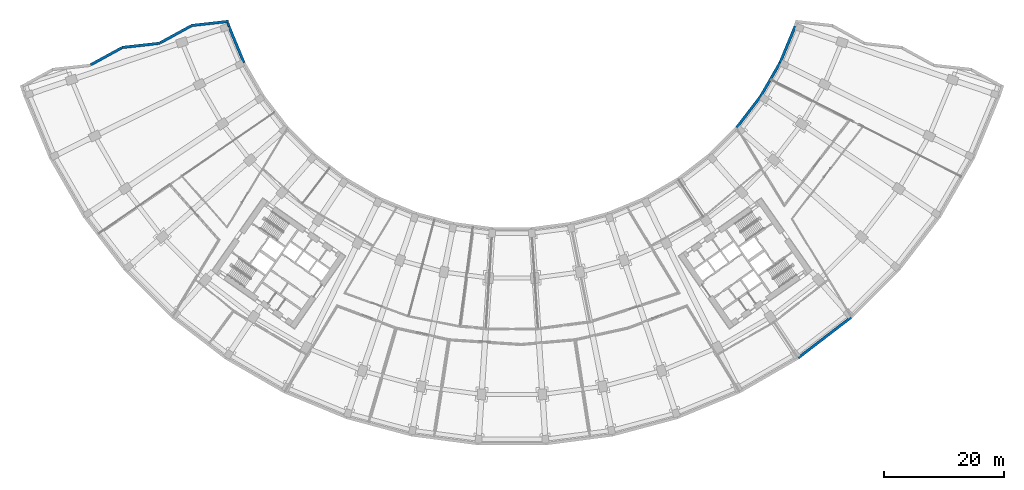
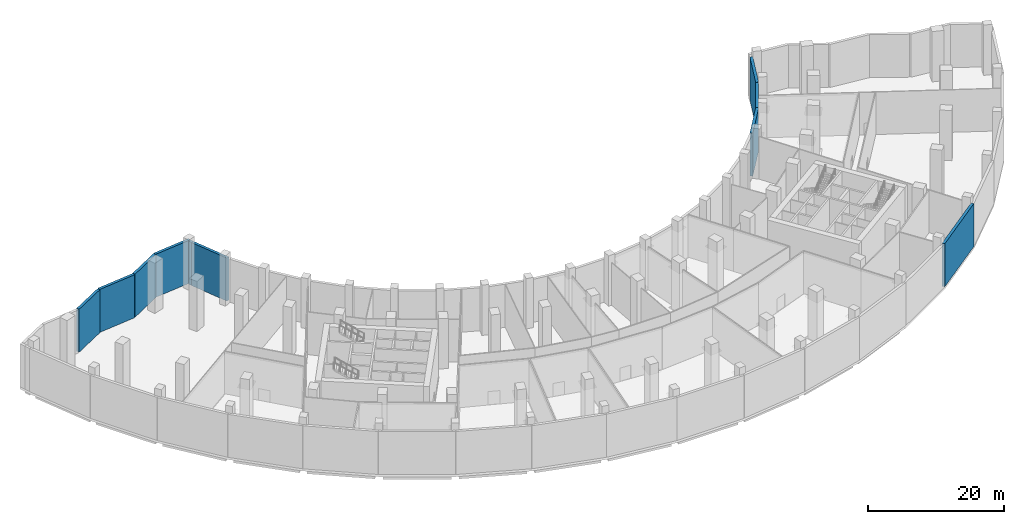
# One storey, part 10 of 17: 10 walls.
"""IFC4 building model written with IfcOpenShell, lengths in metres."""

from ifc_helpers import new_model, si_unit, direction, frame, frame_2d, origin, place, context, subcontext, project, spatial, rectangle, extrude, material, layer, layer_set, type_object, element, save


model = new_model("IFC4")

# Units and contexts
model_context = context("Model", 3, precision=1e-05, world=origin(), true_north=direction((0.0, 1.0)))
body_context = subcontext(model_context, "Body", "Model", "MODEL_VIEW")
ifc_project = project(units=[si_unit("LENGTHUNIT", "METRE"), si_unit("AREAUNIT", "SQUARE_METRE"), si_unit("VOLUMEUNIT", "CUBIC_METRE"), si_unit("PLANEANGLEUNIT", "RADIAN"), si_unit("MASSUNIT", "GRAM", prefix="KILO")], contexts=[model_context])

# Site, building, storey
site_placement = place(None, origin())
site = spatial("IfcSite", under=ifc_project, at=site_placement, CompositionType="ELEMENT")
building_placement = place(site_placement, origin())
building = spatial("IfcBuilding", under=site, at=building_placement, Name="Qamariyya Broadcast Tower", CompositionType="ELEMENT")
storey_placement = place(building_placement, frame((0.0, 0.0, 18.0)))
storey = spatial("IfcBuildingStorey", under=building, at=storey_placement, Name="L02", CompositionType="ELEMENT", Elevation=18.0)

# Walls
ifc_material = material(Name="Precast concrete C40/50 with terracotta facing", Category="masonry")
ifc_layer = layer(ifc_material, 0.449951171875)
ifc_layer_set = layer_set([ifc_layer], Name="Precast concrete C40/50 wall 450, terracotta faced")
wall_type = type_object("IfcWallType", Name="Precast concrete C40/50 wall 450, terracotta faced", PredefinedType="SOLIDWALL", material=ifc_layer_set)
wall_1_placement = place(storey_placement, frame((-47.37255859375, -15.220947265625, 0.0), z_axis=(0.0, 0.0, 1.0), x_axis=(-0.993827533543, -0.110936168908, 0.0)))
element("IfcWall", 1, at=wall_1_placement, inside=storey, type_object=wall_type, Name="e-wl-L02-capW0", PredefinedType="SOLIDWALL", context=body_context, shape_type="SweptSolid", body=[
    extrude(rectangle(XDim=6.265380859375, YDim=0.449951171875, at=frame_2d((3.1328125, 0.0))), origin(), (0.0, 0.0, 1.0), 7.699951171875),
])
wall_2_placement = place(storey_placement, frame((-53.65869140625, -15.9853515625, 0.0), z_axis=(0.0, 0.0, 1.0), x_axis=(-0.87728135657, -0.479976480064, 0.0)))
element("IfcWall", 2, at=wall_2_placement, inside=storey, type_object=wall_type, Name="e-wl-L02-capW1", PredefinedType="SOLIDWALL", context=body_context, shape_type="SweptSolid", body=[
    extrude(rectangle(XDim=5.885498046875, YDim=0.449951171875, at=frame_2d((2.94287109375, 0.0))), origin(), (0.0, 0.0, 1.0), 7.699951171875),
])
wall_3_placement = place(storey_placement, frame((-58.881103515625, -18.87939453125, 0.0), z_axis=(0.0, 0.0, 1.0), x_axis=(-0.993818963433, -0.111012917816, 0.0)))
element("IfcWall", 3, at=wall_3_placement, inside=storey, type_object=wall_type, Name="e-wl-L02-capW2", PredefinedType="SOLIDWALL", context=body_context, shape_type="SweptSolid", body=[
    extrude(rectangle(XDim=6.360107421875, YDim=0.449951171875, at=frame_2d((3.18017578125, 0.0))), origin(), (0.0, 0.0, 1.0), 7.699951171875),
])
wall_4_placement = place(storey_placement, frame((-65.26123046875, -19.654541015625, 0.0), z_axis=(0.0, 0.0, 1.0), x_axis=(-0.877230259454, -0.480069861477, 0.0)))
element("IfcWall", 4, at=wall_4_placement, inside=storey, type_object=wall_type, Name="e-wl-L02-capW3", PredefinedType="SOLIDWALL", context=body_context, shape_type="SweptSolid", body=[
    extrude(rectangle(XDim=5.883544921875, YDim=0.449951171875, at=frame_2d((2.94189453125, 0.0))), origin(), (0.0, 0.0, 1.0), 7.699951171875),
])
wall_5_placement = place(storey_placement, frame((-47.330810546875, -16.03955078125, 0.0), z_axis=(0.0, 0.0, 1.0), x_axis=(-0.311474670585, 0.950254455177, 0.0)))
element("IfcWall", 5, at=wall_5_placement, inside=storey, type_object=wall_type, Name="e-wl-L02-in00", PredefinedType="SOLIDWALL", context=body_context, shape_type="SweptSolid", body=[
    extrude(rectangle(XDim=0.570556640625, YDim=0.449951171875, at=frame_2d((0.28515625, 0.0))), origin(), (0.0, 0.0, 1.0), 7.699951171875),
])
wall_6_placement = place(storey_placement, frame((-44.81005859375, -22.13134765625, 0.0), z_axis=(0.0, 0.0, 1.0), x_axis=(-0.382692796414, 0.92387565374, 0.0)))
element("IfcWall", 6, at=wall_6_placement, inside=storey, type_object=wall_type, Name="e-wl-L02-in10", PredefinedType="SOLIDWALL", context=body_context, shape_type="SweptSolid", body=[
    extrude(rectangle(XDim=6.575927734375, YDim=0.449951171875, at=frame_2d((3.2880859375, 0.0))), origin(), (0.0, 0.0, 1.0), 7.699951171875),
])
wall_7_placement = place(storey_placement, frame((41.5712890625, -27.7412109375, 0.0), z_axis=(0.0, 0.0, 1.0), x_axis=(-0.608780327927, -0.793338838284, 0.0)))
element("IfcWall", 7, at=wall_7_placement, inside=storey, type_object=wall_type, Name="e-wl-L02-in170", PredefinedType="SOLIDWALL", context=body_context, shape_type="SweptSolid", body=[
    extrude(rectangle(XDim=6.596923828125, YDim=0.449951171875, at=frame_2d((3.29833984375, 0.0))), origin(), (0.0, 0.0, 1.0), 7.699951171875),
])
wall_8_placement = place(storey_placement, frame((44.792236328125, -22.154541015625, 0.0), z_axis=(0.0, 0.0, 1.0), x_axis=(-0.50000447882, -0.866022817921, 0.0)))
element("IfcWall", 8, at=wall_8_placement, inside=storey, type_object=wall_type, Name="e-wl-L02-in180", PredefinedType="SOLIDWALL", context=body_context, shape_type="SweptSolid", body=[
    extrude(rectangle(XDim=6.41943359375, YDim=0.449951171875, at=frame_2d((3.209716796875, 0.0))), origin(), (0.0, 0.0, 1.0), 7.699951171875),
])
wall_9_placement = place(storey_placement, frame((47.32666015625, -16.055908203125, 0.0), z_axis=(0.0, 0.0, 1.0), x_axis=(-0.382692796414, -0.92387565374, 0.0)))
element("IfcWall", 9, at=wall_9_placement, inside=storey, type_object=wall_type, Name="e-wl-L02-in190", PredefinedType="SOLIDWALL", context=body_context, shape_type="SweptSolid", body=[
    extrude(rectangle(XDim=6.575927734375, YDim=0.449951171875, at=frame_2d((3.2880859375, 0.0))), origin(), (0.0, 0.0, 1.0), 7.699951171875),
])
wall_10_placement = place(storey_placement, frame((47.83935546875, -71.490966796875, 0.0), z_axis=(0.0, 0.0, 1.0), x_axis=(0.793355377778, 0.608758773695, 0.0)))
element("IfcWall", 10, at=wall_10_placement, inside=storey, type_object=wall_type, Name="e-wl-L02-out150", PredefinedType="SOLIDWALL", context=body_context, shape_type="SweptSolid", body=[
    extrude(rectangle(XDim=11.134765625, YDim=0.449951171875, at=frame_2d((5.5673828125, 0.0))), origin(), (0.0, 0.0, 1.0), 7.699951171875),
])

save(model, "model.ifc")
